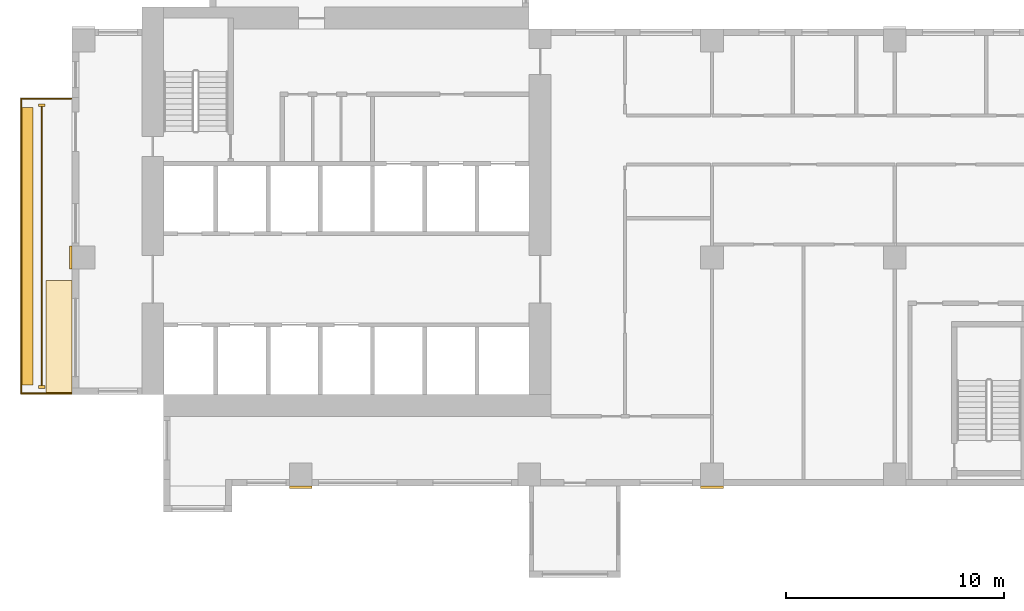
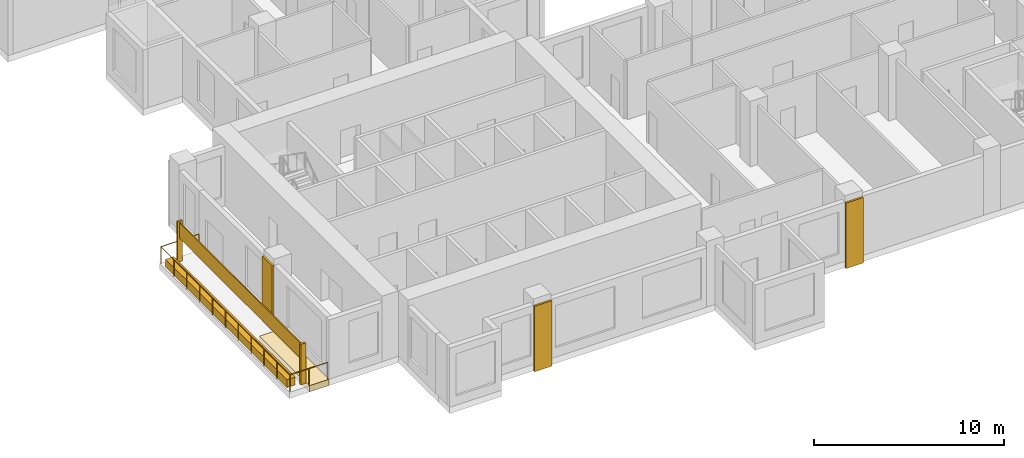
# One storey, part 10 of 14: 8 coverings, 1 railing.
"""IFC4 building model written with IfcOpenShell, lengths in metres."""

from ifc_helpers import new_model, si_unit, direction, frame, origin, origin_2d, place, context, subcontext, project, spatial, polyline, rectangle, circle, outline, extrude, source, transform, mapped, material, type_object, element, save


model = new_model("IFC4")

# Units and contexts
model_context = context("Model", 3, precision=1e-05, world=origin(), true_north=direction((0.0, 1.0)))
body_context = subcontext(model_context, "Body", "Model", "MODEL_VIEW")
ifc_project = project(units=[si_unit("LENGTHUNIT", "METRE"), si_unit("AREAUNIT", "SQUARE_METRE"), si_unit("VOLUMEUNIT", "CUBIC_METRE"), si_unit("PLANEANGLEUNIT", "RADIAN"), si_unit("MASSUNIT", "GRAM", prefix="KILO")], contexts=[model_context])

# Site, building, storey
site_placement = place(None, origin())
site = spatial("IfcSite", under=ifc_project, at=site_placement, CompositionType="ELEMENT")
building_placement = place(site_placement, origin())
building = spatial("IfcBuilding", under=site, at=building_placement, Name="Aurelian Terraces", CompositionType="ELEMENT")
storey_placement = place(building_placement, frame((0.0, 0.0, 111.9)))
storey = spatial("IfcBuildingStorey", under=building, at=storey_placement, Name="L24", CompositionType="ELEMENT", Elevation=111.9)

# Coverings
ifc_material_1 = material(Name="Terracotta roof tiles on membrane", Category="masonry")
covering_type_1 = type_object("IfcCoveringType", Name="Bay roof cover", PredefinedType="ROOFING", material=ifc_material_1)
covering_1_placement = place(storey_placement, frame((0.0, 0.0, -0.4)))
element("IfcCovering", 1, at=covering_1_placement, inside=storey, type_object=covering_type_1, Name="Bay roof L24 -1.20_4.20_0.00_9.45", PredefinedType="ROOFING", context=body_context, shape_type="SweptSolid", body=[
    extrude(outline(polyline([(0.0, 4.2), (-1.2, 4.2), (-1.2, 9.45), (0.0, 9.45), (0.0, 4.2)])), origin(), (0.0, 0.0, 1.0), 0.4),
])
ifc_material_2 = material(Name="Terracotta rainscreen cladding relief", Category="masonry")
covering_type_2 = type_object("IfcCoveringType", Name="FIN-TC", PredefinedType="CLADDING", material=ifc_material_2)
shared_shape_1 = source(origin(), body_context, "Body", "SweptSolid", [
    extrude(rectangle(XDim=0.3, YDim=0.12, at=origin_2d()), origin(), (0.0, 0.0, 1.0), 2.6),
])
for number, where, z_axis, x_axis, name in (
    (2, (-1.4, 17.5, 0.0), (0.0, 0.0, 1.0), (1.0, 0.0, 0.0), "FIN L24 L24-F20-38.1"),
    (3, (-1.4, 4.55, 0.0), (0.0, 0.0, 1.0), (1.0, 0.0, 0.0), "FIN L24 L24-F20-38.2"),
):
    element("IfcCovering", number, at=place(storey_placement, frame(where, z_axis=z_axis, x_axis=x_axis)), inside=storey, type_object=covering_type_2, Name=name, PredefinedType="CLADDING", context=body_context, shape_type="MappedRepresentation", body=[
        mapped(shared_shape_1, transform((0.0, 0.0, 0.0), scale=1.0)),
    ])

# Railing
ifc_material_3 = material(Name="Anodised aluminium", Category="aluminium")
railing_type = type_object("IfcRailingType", Name="GUARD-1100", PredefinedType="GUARDRAIL", material=ifc_material_3)
shared_shape_2 = source(origin(), body_context, "Body", "SweptSolid", [
    extrude(circle(Radius=0.024, at=origin_2d()), frame((0.0, 0.0, 1.076), z_axis=(-1.0, 0.0, 0.0), x_axis=(0.0, -1.0, 0.0)), (0.0, 0.0, 1.0), 2.3),
    extrude(circle(Radius=0.024, at=origin_2d()), frame((-2.3, 0.0, 1.076), z_axis=(0.0, -1.0, 0.0), x_axis=(1.0, 0.0, 0.0)), (0.0, 0.0, 1.0), 13.55),
    extrude(circle(Radius=0.024, at=origin_2d()), frame((-2.3, -13.55, 1.076), z_axis=(1.0, 0.0, 0.0), x_axis=(0.0, 1.0, 0.0)), (0.0, 0.0, 1.0), 2.3),
    extrude(circle(Radius=0.021, at=origin_2d()), origin(), (0.0, 0.0, 1.0), 1.052),
    extrude(circle(Radius=0.021, at=origin_2d()), frame((-1.15, 0.0, 0.0)), (0.0, 0.0, 1.0), 1.052),
    extrude(circle(Radius=0.021, at=origin_2d()), frame((-2.3, 0.0, 0.0)), (0.0, 0.0, 1.0), 1.052),
    extrude(circle(Radius=0.021, at=origin_2d()), frame((-2.3, -1.355, 0.0)), (0.0, 0.0, 1.0), 1.052),
    extrude(circle(Radius=0.021, at=origin_2d()), frame((-2.3, -2.71, 0.0)), (0.0, 0.0, 1.0), 1.052),
    extrude(circle(Radius=0.021, at=origin_2d()), frame((-2.3, -4.065, 0.0)), (0.0, 0.0, 1.0), 1.052),
    extrude(circle(Radius=0.021, at=origin_2d()), frame((-2.3, -5.42, 0.0)), (0.0, 0.0, 1.0), 1.052),
    extrude(circle(Radius=0.021, at=origin_2d()), frame((-2.3, -6.775, 0.0)), (0.0, 0.0, 1.0), 1.052),
    extrude(circle(Radius=0.021, at=origin_2d()), frame((-2.3, -8.13, 0.0)), (0.0, 0.0, 1.0), 1.052),
    extrude(circle(Radius=0.021, at=origin_2d()), frame((-2.3, -9.485, 0.0)), (0.0, 0.0, 1.0), 1.052),
    extrude(circle(Radius=0.021, at=origin_2d()), frame((-2.3, -10.84, 0.0)), (0.0, 0.0, 1.0), 1.052),
    extrude(circle(Radius=0.021, at=origin_2d()), frame((-2.3, -12.195, 0.0)), (0.0, 0.0, 1.0), 1.052),
    extrude(circle(Radius=0.021, at=origin_2d()), frame((-2.3, -13.55, 0.0)), (0.0, 0.0, 1.0), 1.052),
    extrude(circle(Radius=0.021, at=origin_2d()), frame((-1.15, -13.55, 0.0)), (0.0, 0.0, 1.0), 1.052),
    extrude(circle(Radius=0.021, at=origin_2d()), frame((0.0, -13.55, 0.0)), (0.0, 0.0, 1.0), 1.052),
])
railing_placement = place(storey_placement, frame((-0.05, 17.8, 0.0)))
element("IfcRailing", 4, at=railing_placement, inside=storey, type_object=railing_type, Name="Balcony guard L24 F20.38", PredefinedType="GUARDRAIL", context=body_context, shape_type="MappedRepresentation", body=[
    mapped(shared_shape_2, transform((0.0, 0.0, 0.0), scale=1.0)),
])

# Coverings
ifc_material_4 = material(Name="Terracotta planter with planting soil", Category="masonry")
covering_type_3 = type_object("IfcCoveringType", Name="PLANTER-TROUGH", PredefinedType="USERDEFINED", material=ifc_material_4)
shared_shape_3 = source(origin(), body_context, "Body", "SweptSolid", [
    extrude(rectangle(XDim=0.5, YDim=12.75, at=origin_2d()), origin(), (0.0, 0.0, 1.0), 0.5),
])
covering_2_placement = place(storey_placement, frame((-2.05, 11.025, 0.0), z_axis=(0.0, 0.0, 1.0), x_axis=(1.0, 0.0, 0.0)))
element("IfcCovering", 5, at=covering_2_placement, inside=storey, type_object=covering_type_3, Name="PLANTER L24 L24-F20-38", ObjectType="PLANTER", PredefinedType="USERDEFINED", context=body_context, shape_type="MappedRepresentation", body=[
    mapped(shared_shape_3, transform((0.0, 0.0, 0.0), scale=1.0)),
])
ifc_material_5 = material(Name="Terracotta rainscreen cladding", Category="masonry")
covering_type_4 = type_object("IfcCoveringType", Name="SCREEN-TC", PredefinedType="CLADDING", material=ifc_material_5)
shared_shape_4 = source(origin(), body_context, "Body", "SweptSolid", [
    extrude(rectangle(XDim=0.06, YDim=12.83, at=origin_2d()), origin(), (0.0, 0.0, 1.0), 1.0),
])
covering_3_placement = place(storey_placement, frame((-1.4, 11.025, 1.5), z_axis=(0.0, 0.0, 1.0), x_axis=(1.0, 0.0, 0.0)))
element("IfcCovering", 6, at=covering_3_placement, inside=storey, type_object=covering_type_4, Name="SCREEN L24 L24-F20-38", PredefinedType="CLADDING", context=body_context, shape_type="MappedRepresentation", body=[
    mapped(shared_shape_4, transform((0.0, 0.0, 0.0), scale=1.0)),
])
covering_type_5 = type_object("IfcCoveringType", Name="BAGUETTE-TC", PredefinedType="CLADDING", material=ifc_material_2)
shared_shape_5 = source(origin(), body_context, "Body", "SweptSolid", [
    extrude(rectangle(XDim=1.05, YDim=0.12, at=origin_2d()), origin(), (0.0, 0.0, 1.0), 4.2),
])
for number, where, z_axis, x_axis, name in (
    (7, (10.5, -0.06, -0.4), (0.0, 0.0, 1.0), (1.0, 0.0, 0.0), "BAGUETTE pier L24 1"),
    (8, (29.4, -0.06, -0.4), (0.0, 0.0, 1.0), (1.0, 0.0, 0.0), "BAGUETTE pier L24 2"),
):
    element("IfcCovering", number, at=place(storey_placement, frame(where, z_axis=z_axis, x_axis=x_axis)), inside=storey, type_object=covering_type_5, Name=name, PredefinedType="CLADDING", context=body_context, shape_type="MappedRepresentation", body=[
        mapped(shared_shape_5, transform((0.0, 0.0, 0.0), scale=1.0)),
    ])
shared_shape_6 = source(origin(), body_context, "Body", "SweptSolid", [
    extrude(rectangle(XDim=0.12, YDim=1.05, at=origin_2d()), origin(), (0.0, 0.0, 1.0), 4.2),
])
covering_4_placement = place(storey_placement, frame((-0.06, 10.5, -0.4), z_axis=(0.0, 0.0, 1.0), x_axis=(1.0, 0.0, 0.0)))
element("IfcCovering", 9, at=covering_4_placement, inside=storey, type_object=covering_type_5, Name="BAGUETTE pier L24 5", PredefinedType="CLADDING", context=body_context, shape_type="MappedRepresentation", body=[
    mapped(shared_shape_6, transform((0.0, 0.0, 0.0), scale=1.0)),
])

save(model, "model.ifc")
